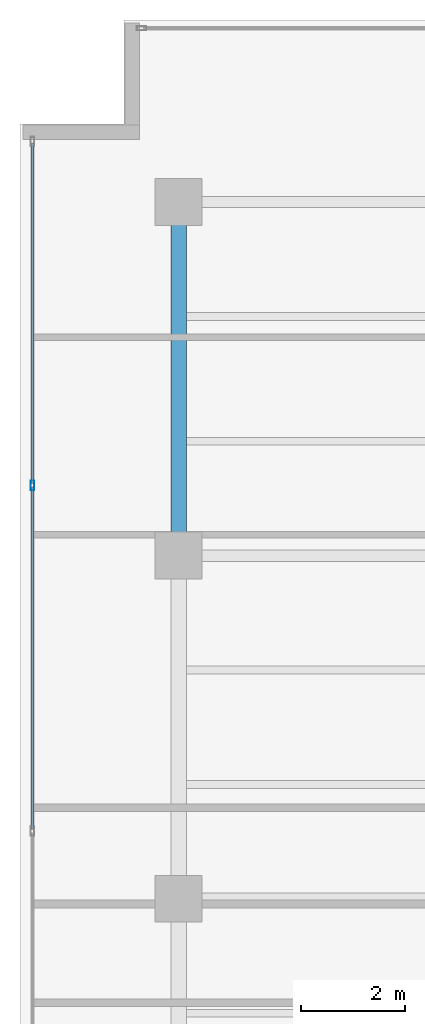
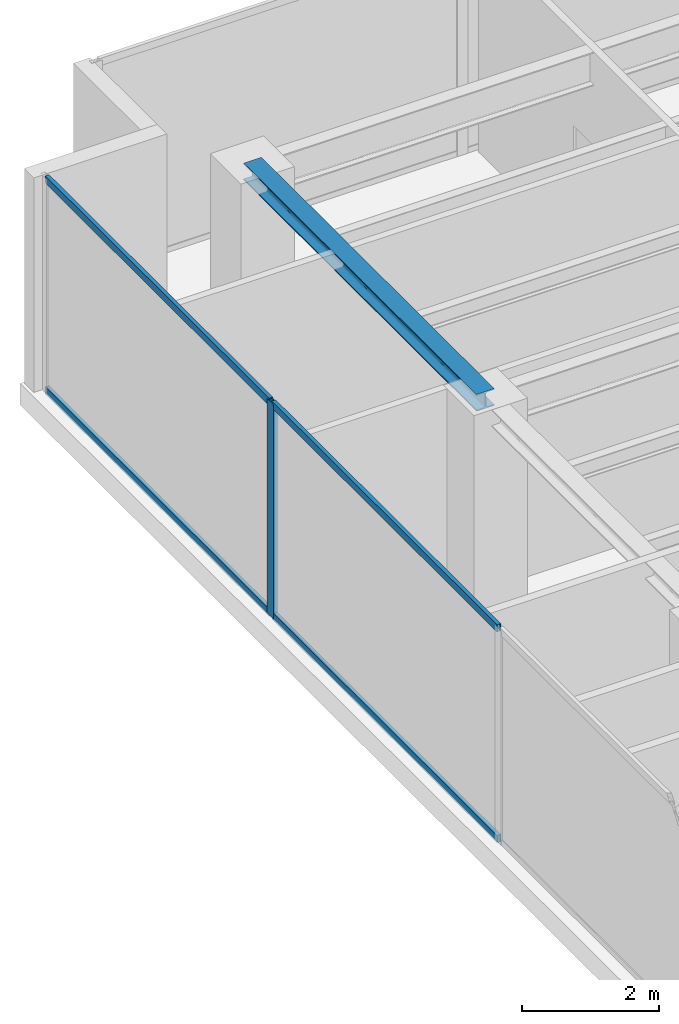
# One storey, part 20 of 32: 5 members, 1 beam, 1 element without a shape of its own.
"""IFC4 building model written with IfcOpenShell, lengths in metres."""

from ifc_helpers import new_model, si_unit, direction, frame, origin, origin_with_axes, origin_2d, place, context, subcontext, project, spatial, hollow_rectangle, i_section, extrude, source, transform, mapped, material, layer, layer_set, material_profile, profile_set, type_object, element, aggregate, save


model = new_model("IFC4")

# Units and contexts
model_context = context("Model", 3, precision=1e-05, world=origin(), true_north=direction((0.0, 1.0)))
body_context = subcontext(model_context, "Body", "Model", "MODEL_VIEW")
ifc_project = project(units=[si_unit("LENGTHUNIT", "METRE"), si_unit("AREAUNIT", "SQUARE_METRE"), si_unit("VOLUMEUNIT", "CUBIC_METRE"), si_unit("PLANEANGLEUNIT", "RADIAN"), si_unit("MASSUNIT", "GRAM", prefix="KILO")], contexts=[model_context])

# Site, building, storey
site_placement = place(None, origin())
site = spatial("IfcSite", under=ifc_project, at=site_placement, CompositionType="ELEMENT")
building_placement = place(site_placement, origin())
building = spatial("IfcBuilding", under=site, at=building_placement, Name="Kolvaren Waterfront Exchange", CompositionType="ELEMENT")
storey_placement = place(building_placement, frame((0.0, 0.0, 352.0)))
storey = spatial("IfcBuildingStorey", under=building, at=storey_placement, Name="L90", CompositionType="ELEMENT", Elevation=352.0)

# Beam
ifc_material_1 = material(Name="Steel S355", Category="steel")
ifc_material_profile_1 = material_profile(ifc_material_1, i_section(OverallWidth=0.300048828125, OverallDepth=0.300048828125, WebThickness=0.010986328125, FlangeThickness=0.01904296875, FilletRadius=0.027099609375, at=origin_2d()), Name="HEB300")
ifc_profile_set_1 = profile_set([ifc_material_profile_1], Name="Steel S355")
beam_type = type_object("IfcBeamType", Name="STR-BM-HEB300", PredefinedType="SPANDREL", material=ifc_profile_set_1)
beam_placement = place(storey_placement, frame((7.449951171875, 37.800048828125, 3.669921875), z_axis=(0.0, 1.0, 0.0), x_axis=(-1.0, 0.0, 0.0)))
element("IfcBeam", 1, at=beam_placement, inside=storey, type_object=beam_type, Name="L90 north-arm edge beam 3", PredefinedType="SPANDREL", context=body_context, shape_type="SweptSolid", body=[
    extrude(i_section(OverallWidth=0.300048828125, OverallDepth=0.300048828125, WebThickness=0.010986328125, FlangeThickness=0.01904296875, FilletRadius=0.027099609375, at=origin_2d()), origin(), (0.0, 0.0, 1.0), 6.800048828125),
])

# Curtain wall, members
ifc_material_2 = material(Name="Anodised bronze aluminium 6063-T6", Category="aluminium")
ifc_layer = layer(ifc_material_2, 0.219970703125, Name="Anodised bronze aluminium 6063-T6")
ifc_layer_set = layer_set([ifc_layer], Name="Anodised bronze aluminium 6063-T6")
curtain_wall_type = type_object("IfcCurtainWallType", Name="ARC-CW-SYS5", PredefinedType="USERDEFINED", material=ifc_layer_set)
curtain_wall_placement = place(storey_placement, origin())
curtain_wall = element("IfcCurtainWall", 2, at=curtain_wall_placement, inside=storey, type_object=curtain_wall_type, Name="L90 stick curtain wall CW5 (CW-L90-W)", ObjectType="STICK CURTAIN WALL", PredefinedType="USERDEFINED")
ifc_material_profile_2 = material_profile(ifc_material_2, hollow_rectangle(XDim=0.06494140625, YDim=0.1298828125, WallThickness=0.00390625, at=origin_2d()), Name="ALU-TRN-130x65x4")
ifc_profile_set_2 = profile_set([ifc_material_profile_2], Name="Anodised bronze aluminium 6063-T6")
member_type_1 = type_object("IfcMemberType", Name="ARC-CWT-130", PredefinedType="USERDEFINED", material=ifc_profile_set_2)
shared_shape_1 = source(origin_with_axes(), body_context, "Body", "SweptSolid", [
    extrude(hollow_rectangle(XDim=0.06494140625, YDim=0.1298828125, WallThickness=0.00390625, at=origin_2d()), origin(), (0.0, 0.0, 1.0), 6.574951171875),
])
member_1_placement = place(storey_placement, frame((4.639892578125, 32.53759765625, 0.032470703125), z_axis=(0.0, 1.0, 0.0), x_axis=(-1.0, 0.0, 0.0)))
member_1 = element("IfcMember", 3, at=member_1_placement, type_object=member_type_1, Name="CW5 transom 5.1", ObjectType="TRANSOM", PredefinedType="USERDEFINED", context=body_context, shape_type="MappedRepresentation", body=[
    mapped(shared_shape_1, transform((0.0, 0.0, 0.0), x_axis=(1.0, 0.0, 0.0), y_axis=(0.0, 1.0, 0.0), z_axis=(0.0, 0.0, 1.0), scale=1.0)),
])
member_2_placement = place(storey_placement, frame((4.639892578125, 32.53759765625, 3.78759765625), z_axis=(0.0, 1.0, 0.0), x_axis=(-1.0, 0.0, 0.0)))
member_2 = element("IfcMember", 4, at=member_2_placement, type_object=member_type_1, Name="CW5 transom 5.2", ObjectType="TRANSOM", PredefinedType="USERDEFINED", context=body_context, shape_type="MappedRepresentation", body=[
    mapped(shared_shape_1, transform((0.0, 0.0, 0.0), x_axis=(1.0, 0.0, 0.0), y_axis=(0.0, 1.0, 0.0), z_axis=(0.0, 0.0, 1.0), scale=1.0)),
])
shared_shape_2 = source(origin_with_axes(), body_context, "Body", "SweptSolid", [
    extrude(hollow_rectangle(XDim=0.06494140625, YDim=0.1298828125, WallThickness=0.00390625, at=origin_2d()), origin(), (0.0, 0.0, 1.0), 6.53759765625),
])
member_3_placement = place(storey_placement, frame((4.639892578125, 39.1875, 0.032470703125), z_axis=(0.0, 1.0, 0.0), x_axis=(-1.0, 0.0, 0.0)))
member_3 = element("IfcMember", 5, at=member_3_placement, type_object=member_type_1, Name="CW5 transom 6.1", ObjectType="TRANSOM", PredefinedType="USERDEFINED", context=body_context, shape_type="MappedRepresentation", body=[
    mapped(shared_shape_2, transform((0.0, 0.0, 0.0), x_axis=(1.0, 0.0, 0.0), y_axis=(0.0, 1.0, 0.0), z_axis=(0.0, 0.0, 1.0), scale=1.0)),
])
member_4_placement = place(storey_placement, frame((4.639892578125, 39.1875, 3.78759765625), z_axis=(0.0, 1.0, 0.0), x_axis=(-1.0, 0.0, 0.0)))
member_4 = element("IfcMember", 6, at=member_4_placement, type_object=member_type_1, Name="CW5 transom 6.2", ObjectType="TRANSOM", PredefinedType="USERDEFINED", context=body_context, shape_type="MappedRepresentation", body=[
    mapped(shared_shape_2, transform((0.0, 0.0, 0.0), x_axis=(1.0, 0.0, 0.0), y_axis=(0.0, 1.0, 0.0), z_axis=(0.0, 0.0, 1.0), scale=1.0)),
])
ifc_material_profile_3 = material_profile(ifc_material_2, hollow_rectangle(XDim=0.074951171875, YDim=0.179931640625, WallThickness=0.00439453125, at=origin_2d()), Name="ALU-MUL-180x75x4.5")
ifc_profile_set_3 = profile_set([ifc_material_profile_3], Name="Anodised bronze aluminium 6063-T6")
member_type_2 = type_object("IfcMemberType", Name="ARC-CWM-180", PredefinedType="MULLION", material=ifc_profile_set_3)
shared_shape_3 = source(origin_with_axes(), body_context, "Body", "SweptSolid", [
    extrude(hollow_rectangle(XDim=0.074951171875, YDim=0.179931640625, WallThickness=0.00439453125, at=origin_2d()), origin(), (0.0, 0.0, 1.0), 3.820068359375),
])
member_5_placement = place(storey_placement, frame((4.639892578125, 39.14990234375, 0.0), z_axis=(0.0, 0.0, 1.0), x_axis=(-1.0, 0.0, 0.0)))
member_5 = element("IfcMember", 7, at=member_5_placement, type_object=member_type_2, Name="CW5 mullion 6", PredefinedType="MULLION", context=body_context, shape_type="MappedRepresentation", body=[
    mapped(shared_shape_3, transform((0.0, 0.0, 0.0), x_axis=(1.0, 0.0, 0.0), y_axis=(0.0, 1.0, 0.0), z_axis=(0.0, 0.0, 1.0), scale=1.0)),
])
aggregate(curtain_wall, [member_5, member_1, member_2, member_3, member_4])

save(model, "model.ifc")
